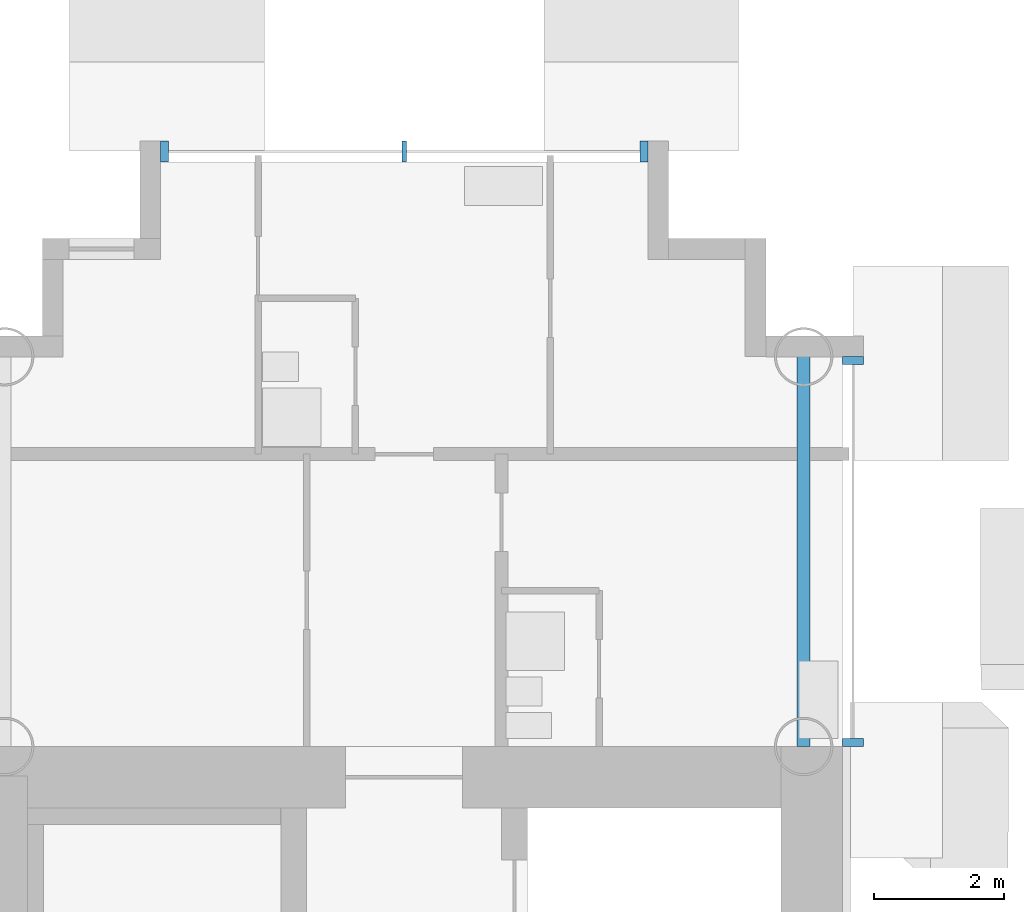
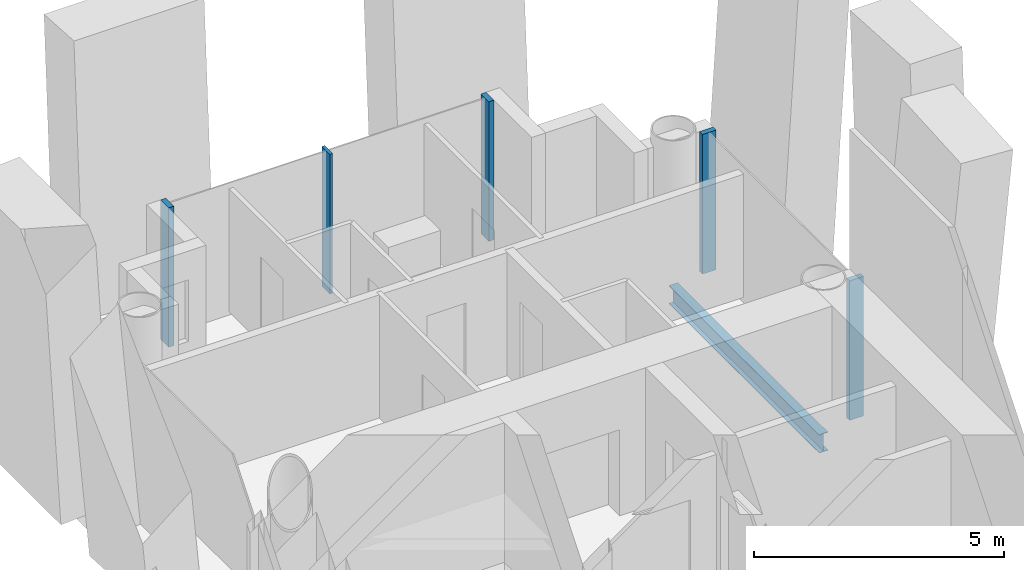
# One storey, part 6 of 21: 5 members, 1 beam, 2 elements without a shape of their own.
"""IFC4 building model written with IfcOpenShell, lengths in metres."""

from ifc_helpers import new_model, si_unit, direction, frame, origin, origin_2d, place, context, subcontext, project, spatial, rectangle, i_section, extrude, material, layer, layer_set, material_profile, profile_set, type_object, element, aggregate, save


model = new_model("IFC4")

# Units and contexts
model_context = context("Model", 3, precision=1e-05, world=origin(), true_north=direction((0.0, 1.0)))
body_context = subcontext(model_context, "Body", "Model", "MODEL_VIEW")
ifc_project = project(units=[si_unit("LENGTHUNIT", "METRE"), si_unit("AREAUNIT", "SQUARE_METRE"), si_unit("VOLUMEUNIT", "CUBIC_METRE"), si_unit("PLANEANGLEUNIT", "RADIAN"), si_unit("MASSUNIT", "GRAM", prefix="KILO")], contexts=[model_context])

# Site, building, storey
site_placement = place(None, origin())
site = spatial("IfcSite", under=ifc_project, at=site_placement, CompositionType="ELEMENT")
building_placement = place(site_placement, origin())
building = spatial("IfcBuilding", under=site, at=building_placement, Name="Ipe Terrace Towers", CompositionType="ELEMENT")
storey_placement = place(building_placement, frame((0.0, 0.0, 114.0)))
storey = spatial("IfcBuildingStorey", under=building, at=storey_placement, Name="L31", CompositionType="ELEMENT", Elevation=114.0)

# Beam
ifc_material_1 = material(Name="Steel S355", Category="steel")
ifc_material_profile_1 = material_profile(ifc_material_1, i_section(OverallWidth=0.199951171875, OverallDepth=0.449951171875, WebThickness=0.009033203125, FlangeThickness=0.013916015625, at=origin_2d()), Name="H-450x200x9x14")
ifc_profile_set_1 = profile_set([ifc_material_profile_1], Name="Steel S355")
beam_type = type_object("IfcBeamType", Name="H08 EDGE BEAM H-450x200x9x14", PredefinedType="BEAM", material=ifc_profile_set_1)
beam_placement = place(storey_placement, frame((42.14990234375, 15.75, -0.625), z_axis=(0.0, 1.0, 0.0), x_axis=(-1.0, 0.0, 0.0)))
element("IfcBeam", 1, at=beam_placement, inside=storey, type_object=beam_type, Name="Edge beam T2-EB-A01-A03", PredefinedType="BEAM", context=body_context, shape_type="SweptSolid", body=[
    extrude(i_section(OverallWidth=0.199951171875, OverallDepth=0.449951171875, WebThickness=0.009033203125, FlangeThickness=0.013916015625, at=origin_2d()), origin(), (0.0, 0.0, 1.0), 6.0),
])

# Curtain wall, members
ifc_material_2 = material(Name="Aluminium alloy 6063-T6", Category="aluminium")
ifc_layer = layer(ifc_material_2, 0.320068359375)
ifc_layer_set = layer_set([ifc_layer], Name="TOWER UNITISED CURTAIN WALL")
curtain_wall_type = type_object("IfcCurtainWallType", Name="TOWER UNITISED CURTAIN WALL", PredefinedType="NOTDEFINED", material=ifc_layer_set)
curtain_wall_1_placement = place(storey_placement, origin())
curtain_wall_1 = element("IfcCurtainWall", 2, at=curtain_wall_1_placement, inside=storey, type_object=curtain_wall_type, Name="T2-CW-L31-16b curtain wall", PredefinedType="NOTDEFINED")
ifc_material_3 = material(Name="Aluminium alloy 6063-T6", Category="aluminium")
ifc_material_profile_2 = material_profile(ifc_material_3, rectangle(XDim=0.320068359375, YDim=0.1201171875, at=origin_2d()), Name="TOWER UNITISED CORNER MULLION 320 x 120")
ifc_profile_set_2 = profile_set([ifc_material_profile_2], Name="Aluminium alloy 6063-T6")
member_type_1 = type_object("IfcMemberType", Name="TOWER UNITISED CORNER MULLION 320 x 120", PredefinedType="MULLION", material=ifc_profile_set_2)
member_1_placement = place(storey_placement, frame((42.909912109375, 15.81103515625, -0.300048828125), z_axis=(0.0, 0.0, 1.0), x_axis=(1.0, 0.0, 0.0)))
member_1 = element("IfcMember", 3, at=member_1_placement, type_object=member_type_1, Name="T2-CW-L31-16b mullion 1", PredefinedType="MULLION", context=body_context, shape_type="SweptSolid", body=[
    extrude(rectangle(XDim=0.320068359375, YDim=0.1201171875, at=origin_2d()), origin(), (0.0, 0.0, 1.0), 3.400146484375),
])
member_2_placement = place(storey_placement, frame((42.909912109375, 21.68994140625, -0.300048828125), z_axis=(0.0, 0.0, 1.0), x_axis=(1.0, 0.0, 0.0)))
member_2 = element("IfcMember", 4, at=member_2_placement, type_object=member_type_1, Name="T2-CW-L31-16b mullion 2", PredefinedType="MULLION", context=body_context, shape_type="SweptSolid", body=[
    extrude(rectangle(XDim=0.320068359375, YDim=0.1201171875, at=origin_2d()), origin(), (0.0, 0.0, 1.0), 3.400146484375),
])
aggregate(curtain_wall_1, [member_1, member_2])

curtain_wall_2_placement = place(storey_placement, origin())
curtain_wall_2 = element("IfcCurtainWall", 5, at=curtain_wall_2_placement, inside=storey, type_object=curtain_wall_type, Name="T2-CW-L31-21a curtain wall", PredefinedType="NOTDEFINED")
member_3_placement = place(storey_placement, frame((39.68994140625, 24.909912109375, -0.300048828125), z_axis=(0.0, 0.0, 1.0), x_axis=(0.0, 1.0, 0.0)))
member_3 = element("IfcMember", 6, at=member_3_placement, type_object=member_type_1, Name="T2-CW-L31-21a mullion 1", PredefinedType="MULLION", context=body_context, shape_type="SweptSolid", body=[
    extrude(rectangle(XDim=0.320068359375, YDim=0.1201171875, at=origin_2d()), origin(), (0.0, 0.0, 1.0), 3.400146484375),
])
member_4_placement = place(storey_placement, frame((32.31005859375, 24.909912109375, -0.300048828125), z_axis=(0.0, 0.0, 1.0), x_axis=(0.0, 1.0, 0.0)))
member_4 = element("IfcMember", 7, at=member_4_placement, type_object=member_type_1, Name="T2-CW-L31-21a mullion 3", PredefinedType="MULLION", context=body_context, shape_type="SweptSolid", body=[
    extrude(rectangle(XDim=0.320068359375, YDim=0.1201171875, at=origin_2d()), origin(), (0.0, 0.0, 1.0), 3.400146484375),
])
ifc_material_4 = material(Name="Aluminium alloy 6063-T6", Category="aluminium")
ifc_material_profile_3 = material_profile(ifc_material_4, rectangle(XDim=0.320068359375, YDim=0.06494140625, at=origin_2d()), Name="TOWER UNITISED MULLION 320 x 65")
ifc_profile_set_3 = profile_set([ifc_material_profile_3], Name="Aluminium alloy 6063-T6")
member_type_2 = type_object("IfcMemberType", Name="TOWER UNITISED MULLION 320 x 65", PredefinedType="MULLION", material=ifc_profile_set_3)
member_5_placement = place(storey_placement, frame((36.0, 24.909912109375, -0.300048828125), z_axis=(0.0, 0.0, 1.0), x_axis=(0.0, 1.0, 0.0)))
member_5 = element("IfcMember", 8, at=member_5_placement, type_object=member_type_2, Name="T2-CW-L31-21a mullion 2", PredefinedType="MULLION", context=body_context, shape_type="SweptSolid", body=[
    extrude(rectangle(XDim=0.320068359375, YDim=0.06494140625, at=origin_2d()), origin(), (0.0, 0.0, 1.0), 3.400146484375),
])
aggregate(curtain_wall_2, [member_3, member_5, member_4])

save(model, "model.ifc")
